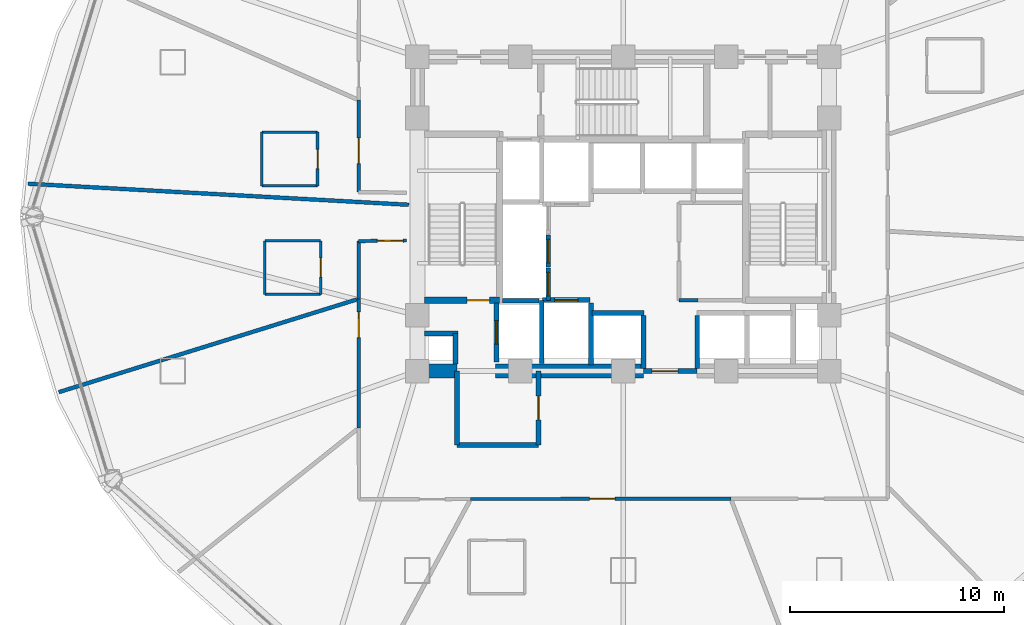
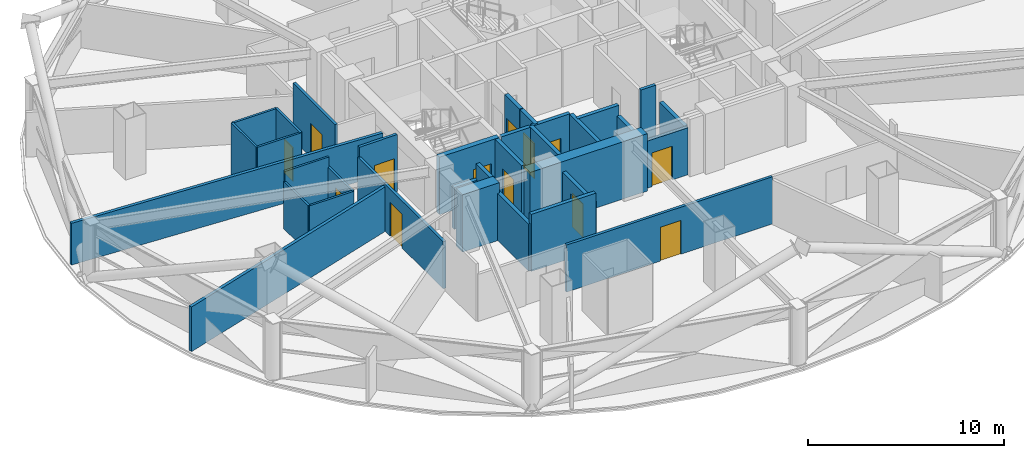
# One storey, part 22 of 30: 35 walls, 13 doors, 13 openings.
"""IFC4 building model written with IfcOpenShell, lengths in metres."""

from ifc_helpers import new_model, si_unit, direction, frame, frame_2d, origin, place, context, subcontext, project, spatial, rectangle, extrude, material, layer, layer_set, type_object, element, fill, save


model = new_model("IFC4")

# Units and contexts
model_context = context("Model", 3, precision=1e-05, world=origin(), true_north=direction((0.0, 1.0)))
body_context = subcontext(model_context, "Body", "Model", "MODEL_VIEW")
ifc_project = project(units=[si_unit("LENGTHUNIT", "METRE"), si_unit("AREAUNIT", "SQUARE_METRE"), si_unit("VOLUMEUNIT", "CUBIC_METRE"), si_unit("PLANEANGLEUNIT", "RADIAN"), si_unit("MASSUNIT", "GRAM", prefix="KILO")], contexts=[model_context])

# Site, building, storey
site_placement = place(None, origin())
site = spatial("IfcSite", under=ifc_project, at=site_placement, CompositionType="ELEMENT")
building_placement = place(site_placement, origin())
building = spatial("IfcBuilding", under=site, at=building_placement, Name="Vantalir Tower", CompositionType="ELEMENT")
storey_placement = place(building_placement, frame((0.0, 0.0, 57.0)))
storey = spatial("IfcBuildingStorey", under=building, at=storey_placement, Name="L13", CompositionType="ELEMENT", Elevation=57.0)

# Walls
ifc_material_1 = material(Name="Moisture-resistant en-suite partition", Category="gypsum")
ifc_layer_1 = layer(ifc_material_1, 0.125)
ifc_layer_set_1 = layer_set([ifc_layer_1], Name="Moisture-resistant en-suite partition")
wall_type_1 = type_object("IfcWallType", Name="WL-BATH-125", PredefinedType="PARTITIONING", material=ifc_layer_set_1)
for number, where, z_axis, x_axis, name in (
    (1, (14.64697265625, 26.43505859375, 0.0), (0.0, 0.0, 1.0), (1.0, 0.0, 0.0), "L13 En-suite 07 South Wall"),
    (2, (14.64697265625, 28.93505859375, 0.0), (0.0, 0.0, 1.0), (1.0, 0.0, 0.0), "L13 En-suite 07 North Wall"),
):
    element("IfcWall", number, at=place(storey_placement, frame(where, z_axis=z_axis, x_axis=x_axis)), inside=storey, type_object=wall_type_1, Name=name, PredefinedType="PARTITIONING", context=body_context, shape_type="SweptSolid", body=[
        extrude(rectangle(XDim=2.60009765625, YDim=0.125, at=frame_2d((1.300048828125, 0.0))), origin(), (0.0, 0.0, 1.0), 3.550048828125),
    ])
wall_1_placement = place(storey_placement, frame((14.64697265625, 26.43505859375, 0.0), z_axis=(0.0, 0.0, 1.0), x_axis=(0.0, 1.0, 0.0)))
element("IfcWall", 3, at=wall_1_placement, inside=storey, type_object=wall_type_1, Name="L13 En-suite 07 West Wall", PredefinedType="PARTITIONING", context=body_context, shape_type="SweptSolid", body=[
    extrude(rectangle(XDim=2.5, YDim=0.125, at=frame_2d((1.25, 0.0))), origin(), (0.0, 0.0, 1.0), 3.550048828125),
])

# Wall, opening, door
wall_2_placement = place(storey_placement, frame((17.2470703125, 26.43505859375, 0.0), z_axis=(0.0, 0.0, 1.0), x_axis=(0.0, 1.0, 0.0)))
wall_2 = element("IfcWall", 4, at=wall_2_placement, inside=storey, type_object=wall_type_1, Name="L13 En-suite 07 East Wall", PredefinedType="PARTITIONING", context=body_context, shape_type="SweptSolid", body=[
    extrude(rectangle(XDim=2.5, YDim=0.125, at=frame_2d((1.25, 0.0))), origin(), (0.0, 0.0, 1.0), 3.550048828125),
])
opening_1_placement = place(wall_2_placement, frame((0.800048828125, 0.0, 0.0)))
opening_1 = element("IfcOpeningElement", 5, at=opening_1_placement, cuts=wall_2, Name="Opening D-WC", PredefinedType="OPENING", context=body_context, shape_type="SweptSolid", body=[
    extrude(rectangle(XDim=0.89990234375, YDim=2.10009765625, at=frame_2d((0.449951171875, 1.050048828125))), frame((0.0, 0.072509765625, 0.0), z_axis=(0.0, -1.0, 0.0), x_axis=(1.0, 0.0, 0.0)), (0.0, 0.0, 1.0), 0.14501953125),
])
ifc_material_2 = material(Name="Moisture-resistant hardwood door", Category="wood")
door_type_1 = type_object("IfcDoorType", Name="DR-ENSUITE-900", OperationType="NOTDEFINED", PredefinedType="DOOR", material=ifc_material_2)
door_1_placement = place(opening_1_placement, origin())
door_1 = element("IfcDoor", 6, at=door_1_placement, inside=storey, type_object=door_type_1, Name="L13 En-suite 07 Door", OperationType="SINGLE_SWING_LEFT", OverallHeight=2.10009765625, OverallWidth=0.89990234375, PredefinedType="DOOR", context=body_context, shape_type="SweptSolid", body=[
    extrude(rectangle(XDim=0.89990234375, YDim=2.10009765625, at=frame_2d((0.449951171875, 1.050048828125))), frame((0.0, 0.02490234375, 0.0), z_axis=(0.0, -1.0, 0.0), x_axis=(1.0, 0.0, 0.0)), (0.0, 0.0, 1.0), 0.050048828125),
])
fill(opening_1, door_1)

# Walls
wall_3_placement = place(storey_placement, frame((14.7919921875, 21.375, 0.0), z_axis=(0.0, 0.0, 1.0), x_axis=(1.0, 0.0, 0.0)))
element("IfcWall", 7, at=wall_3_placement, inside=storey, type_object=wall_type_1, Name="L13 En-suite 08 South Wall", PredefinedType="PARTITIONING", context=body_context, shape_type="SweptSolid", body=[
    extrude(rectangle(XDim=2.60009765625, YDim=0.125, at=frame_2d((1.300048828125, 0.0))), origin(), (0.0, 0.0, 1.0), 2.927978515625),
])
wall_4_placement = place(storey_placement, frame((14.7919921875, 23.875, 0.0), z_axis=(0.0, 0.0, 1.0), x_axis=(1.0, 0.0, 0.0)))
element("IfcWall", 8, at=wall_4_placement, inside=storey, type_object=wall_type_1, Name="L13 En-suite 08 North Wall", PredefinedType="PARTITIONING", context=body_context, shape_type="SweptSolid", body=[
    extrude(rectangle(XDim=2.60009765625, YDim=0.125, at=frame_2d((1.300048828125, 0.0))), origin(), (0.0, 0.0, 1.0), 3.550048828125),
])
wall_5_placement = place(storey_placement, frame((14.7919921875, 21.375, 0.0), z_axis=(0.0, 0.0, 1.0), x_axis=(0.0, 1.0, 0.0)))
element("IfcWall", 9, at=wall_5_placement, inside=storey, type_object=wall_type_1, Name="L13 En-suite 08 West Wall", PredefinedType="PARTITIONING", context=body_context, shape_type="SweptSolid", body=[
    extrude(rectangle(XDim=2.5, YDim=0.125, at=frame_2d((1.25, 0.0))), origin(), (0.0, 0.0, 1.0), 2.927978515625),
])

# Wall, opening, door
wall_6_placement = place(storey_placement, frame((17.39208984375, 21.375, 0.0), z_axis=(0.0, 0.0, 1.0), x_axis=(0.0, 1.0, 0.0)))
wall_6 = element("IfcWall", 10, at=wall_6_placement, inside=storey, type_object=wall_type_1, Name="L13 En-suite 08 East Wall", PredefinedType="PARTITIONING", context=body_context, shape_type="SweptSolid", body=[
    extrude(rectangle(XDim=2.5, YDim=0.125, at=frame_2d((1.25, 0.0))), origin(), (0.0, 0.0, 1.0), 2.927978515625),
])
opening_2_placement = place(wall_6_placement, frame((0.800048828125, 0.0, 0.0)))
opening_2 = element("IfcOpeningElement", 11, at=opening_2_placement, cuts=wall_6, Name="Opening D-WC", PredefinedType="OPENING", context=body_context, shape_type="SweptSolid", body=[
    extrude(rectangle(XDim=0.89990234375, YDim=2.10009765625, at=frame_2d((0.449951171875, 1.050048828125))), frame((0.0, 0.072509765625, 0.0), z_axis=(0.0, -1.0, 0.0), x_axis=(1.0, 0.0, 0.0)), (0.0, 0.0, 1.0), 0.14501953125),
])
door_2_placement = place(opening_2_placement, origin())
door_2 = element("IfcDoor", 12, at=door_2_placement, inside=storey, type_object=door_type_1, Name="L13 En-suite 08 Door", OperationType="SINGLE_SWING_RIGHT", OverallHeight=2.10009765625, OverallWidth=0.89990234375, PredefinedType="DOOR", context=body_context, shape_type="SweptSolid", body=[
    extrude(rectangle(XDim=0.89990234375, YDim=2.10009765625, at=frame_2d((0.449951171875, 1.050048828125))), frame((0.0, 0.02490234375, 0.0), z_axis=(0.0, -1.0, 0.0), x_axis=(1.0, 0.0, 0.0)), (0.0, 0.0, 1.0), 0.050048828125),
])
fill(opening_2, door_2)

# Walls
ifc_material_3 = material(Name="Concrete C60/75", Category="concrete")
ifc_layer_2 = layer(ifc_material_3, 0.64990234375)
ifc_layer_set_2 = layer_set([ifc_layer_2], Name="Concrete C60/75")
wall_type_2 = type_object("IfcWallType", Name="WL-CORE-650", PredefinedType="SHEAR", material=ifc_layer_set_2)
wall_7_placement = place(storey_placement, frame((21.574951171875, 17.800048828125, 0.0), z_axis=(0.0, 0.0, 1.0), x_axis=(1.0, 0.0, 0.0)))
element("IfcWall", 13, at=wall_7_placement, inside=storey, type_object=wall_type_2, Name="L13 Core Shear Wall South-West", PredefinedType="SHEAR", context=body_context, shape_type="SweptSolid", body=[
    extrude(rectangle(XDim=2.175048828125, YDim=0.64990234375, at=frame_2d((1.08740234375, 0.0))), origin(), (0.0, 0.0, 1.0), 3.570068359375),
])
wall_8_placement = place(storey_placement, frame((25.550048828125, 17.800048828125, 0.0), z_axis=(0.0, 0.0, 1.0), x_axis=(1.0, 0.0, 0.0)))
element("IfcWall", 14, at=wall_8_placement, inside=storey, type_object=wall_type_2, Name="L13 Core Shear Wall South-Mid", PredefinedType="SHEAR", context=body_context, shape_type="SweptSolid", body=[
    extrude(rectangle(XDim=6.89990234375, YDim=0.64990234375, at=frame_2d((3.449951171875, 0.0))), origin(), (0.0, 0.0, 1.0), 3.570068359375),
])

# Wall, opening, door
ifc_material_4 = material(Name="Fire-rated hotel corridor acoustic partition", Category="gypsum")
ifc_layer_3 = layer(ifc_material_4, 0.159912109375)
ifc_layer_set_3 = layer_set([ifc_layer_3], Name="Fire-rated hotel corridor acoustic partition")
wall_type_3 = type_object("IfcWallType", Name="WL-CORR-160", PredefinedType="PARTITIONING", material=ifc_layer_set_3)
wall_9_placement = place(storey_placement, frame((19.160888671875, 26.14208984375, 0.0), z_axis=(0.0, 0.0, 1.0), x_axis=(0.002105737748, 0.999997782932, 0.0)))
wall_9 = element("IfcWall", 15, at=wall_9_placement, inside=storey, type_object=wall_type_3, Name="L13 Corridor Partition 02", PredefinedType="PARTITIONING", context=body_context, shape_type="SweptSolid", body=[
    extrude(rectangle(XDim=4.289794921875, YDim=0.159912109375, at=frame_2d((2.14501953125, 0.0))), origin(), (0.0, 0.0, 1.0), 3.550048828125),
])
opening_3_placement = place(wall_9_placement, frame((1.325927734375, 0.0, 0.0)))
opening_3 = element("IfcOpeningElement", 16, at=opening_3_placement, cuts=wall_9, Name="Opening D-STE", PredefinedType="OPENING", context=body_context, shape_type="SweptSolid", body=[
    extrude(rectangle(XDim=1.199951171875, YDim=2.10009765625, at=frame_2d((0.60009765625, 1.050048828125))), frame((0.0, 0.08984375, 0.0), z_axis=(0.0, -1.0, 0.0), x_axis=(1.0, 0.0, 0.0)), (0.0, 0.0, 1.0), 0.179931640625),
])
ifc_material_5 = material(Name="Solid-core teak veneer suite entrance door", Category="wood")
door_type_2 = type_object("IfcDoorType", Name="DR-SUITE-ENTRY-1200", OperationType="NOTDEFINED", PredefinedType="DOOR", material=ifc_material_5)
door_3_placement = place(opening_3_placement, origin())
door_3 = element("IfcDoor", 17, at=door_3_placement, inside=storey, type_object=door_type_2, Name="L13 Executive Club Hotel Suite 07 Door", OperationType="SINGLE_SWING_LEFT", OverallHeight=2.10009765625, OverallWidth=1.199951171875, PredefinedType="DOOR", context=body_context, shape_type="SweptSolid", body=[
    extrude(rectangle(XDim=1.199951171875, YDim=2.10009765625, at=frame_2d((0.60009765625, 1.050048828125))), frame((0.0, 0.02490234375, 0.0), z_axis=(0.0, -1.0, 0.0), x_axis=(1.0, 0.0, 0.0)), (0.0, 0.0, 1.0), 0.050048828125),
])
fill(opening_3, door_3)

wall_10_placement = place(storey_placement, frame((36.51611328125, 11.841064453125, 0.0), z_axis=(0.0, 0.0, 1.0), x_axis=(-0.999999779288, -0.00066439817, 0.0)))
wall_10 = element("IfcWall", 18, at=wall_10_placement, inside=storey, type_object=wall_type_3, Name="L13 Corridor Partition 15", PredefinedType="PARTITIONING", context=body_context, shape_type="SweptSolid", body=[
    extrude(rectangle(XDim=12.126220703125, YDim=0.159912109375, at=frame_2d((6.06298828125, 0.0))), origin(), (0.0, 0.0, 1.0), 2.927978515625),
])
opening_4_placement = place(wall_10_placement, frame((5.387939453125, 0.0, 0.0)))
opening_4 = element("IfcOpeningElement", 19, at=opening_4_placement, cuts=wall_10, Name="Opening D-STE", PredefinedType="OPENING", context=body_context, shape_type="SweptSolid", body=[
    extrude(rectangle(XDim=1.199951171875, YDim=2.10009765625, at=frame_2d((0.60009765625, 1.050048828125))), frame((0.0, 0.08984375, 0.0), z_axis=(0.0, -1.0, 0.0), x_axis=(1.0, 0.0, 0.0)), (0.0, 0.0, 1.0), 0.179931640625),
])
door_4_placement = place(opening_4_placement, origin())
door_4 = element("IfcDoor", 20, at=door_4_placement, inside=storey, type_object=door_type_2, Name="L13 Executive Club Hotel Suite 11 Door", OperationType="SINGLE_SWING_LEFT", OverallHeight=2.10009765625, OverallWidth=1.199951171875, PredefinedType="DOOR", context=body_context, shape_type="SweptSolid", body=[
    extrude(rectangle(XDim=1.199951171875, YDim=2.10009765625, at=frame_2d((0.60009765625, 1.050048828125))), frame((0.0, 0.02490234375, 0.0), z_axis=(0.0, -1.0, 0.0), x_axis=(1.0, 0.0, 0.0)), (0.0, 0.0, 1.0), 0.050048828125),
])
fill(opening_4, door_4)

wall_11_placement = place(storey_placement, frame((19.176025390625, 15.15087890625, 0.0), z_axis=(0.0, 0.0, 1.0), x_axis=(-0.001827037145, 0.999998330966, 0.0)))
wall_11 = element("IfcWall", 21, at=wall_11_placement, inside=storey, type_object=wall_type_3, Name="L13 Corridor Partition 18", PredefinedType="PARTITIONING", context=body_context, shape_type="SweptSolid", body=[
    extrude(rectangle(XDim=6.01318359375, YDim=0.159912109375, at=frame_2d((3.006591796875, 0.0))), origin(), (0.0, 0.0, 1.0), 2.927978515625),
])
opening_5_placement = place(wall_11_placement, frame((4.2041015625, 0.0, 0.0)))
opening_5 = element("IfcOpeningElement", 22, at=opening_5_placement, cuts=wall_11, Name="Opening D-STE", PredefinedType="OPENING", context=body_context, shape_type="SweptSolid", body=[
    extrude(rectangle(XDim=1.199951171875, YDim=2.10009765625, at=frame_2d((0.60009765625, 1.050048828125))), frame((0.0, 0.08984375, 0.0), z_axis=(0.0, -1.0, 0.0), x_axis=(1.0, 0.0, 0.0)), (0.0, 0.0, 1.0), 0.179931640625),
])
door_5_placement = place(opening_5_placement, origin())
door_5 = element("IfcDoor", 23, at=door_5_placement, inside=storey, type_object=door_type_2, Name="L13 Executive Sky Boardroom 09 Door", OperationType="SINGLE_SWING_LEFT", OverallHeight=2.10009765625, OverallWidth=1.199951171875, PredefinedType="DOOR", context=body_context, shape_type="SweptSolid", body=[
    extrude(rectangle(XDim=1.199951171875, YDim=2.10009765625, at=frame_2d((0.60009765625, 1.050048828125))), frame((0.0, 0.02490234375, 0.0), z_axis=(0.0, -1.0, 0.0), x_axis=(1.0, 0.0, 0.0)), (0.0, 0.0, 1.0), 0.050048828125),
])
fill(opening_5, door_5)

# Wall
wall_12_placement = place(storey_placement, frame((19.1650390625, 21.1640625, 0.0), z_axis=(0.0, 0.0, 1.0), x_axis=(-0.001540690577, 0.999998813136, 0.0)))
element("IfcWall", 24, at=wall_12_placement, inside=storey, type_object=wall_type_3, Name="L13 Corridor Partition 19", PredefinedType="PARTITIONING", context=body_context, shape_type="SweptSolid", body=[
    extrude(rectangle(XDim=2.69384765625, YDim=0.159912109375, at=frame_2d((1.346923828125, 0.0))), origin(), (0.0, 0.0, 1.0), 2.927978515625),
])

# Wall, opening, door
wall_13_placement = place(storey_placement, frame((19.160888671875, 23.85791015625, 0.0), z_axis=(0.0, 0.0, 1.0), x_axis=(0.999915458151, 0.013002943888, 0.0)))
wall_13 = element("IfcWall", 25, at=wall_13_placement, inside=storey, type_object=wall_type_3, Name="L13 Corridor Partition 20", PredefinedType="PARTITIONING", context=body_context, shape_type="SweptSolid", body=[
    extrude(rectangle(XDim=2.234375, YDim=0.159912109375, at=frame_2d((1.1171875, 0.0))), origin(), (0.0, 0.0, 1.0), 3.550048828125),
])
opening_6_placement = place(wall_13_placement, frame((0.8740234375, 0.0, 0.0)))
opening_6 = element("IfcOpeningElement", 26, at=opening_6_placement, cuts=wall_13, Name="Opening D-STE", PredefinedType="OPENING", context=body_context, shape_type="SweptSolid", body=[
    extrude(rectangle(XDim=1.199951171875, YDim=2.10009765625, at=frame_2d((0.60009765625, 1.050048828125))), frame((0.0, 0.08984375, 0.0), z_axis=(0.0, -1.0, 0.0), x_axis=(1.0, 0.0, 0.0)), (0.0, 0.0, 1.0), 0.179931640625),
])
door_6_placement = place(opening_6_placement, origin())
door_6 = element("IfcDoor", 27, at=door_6_placement, inside=storey, type_object=door_type_2, Name="L13 Corner Panorama Hotel Suite 08 Door", OperationType="SINGLE_SWING_RIGHT", OverallHeight=2.10009765625, OverallWidth=1.199951171875, PredefinedType="DOOR", context=body_context, shape_type="SweptSolid", body=[
    extrude(rectangle(XDim=1.199951171875, YDim=2.10009765625, at=frame_2d((0.60009765625, 1.050048828125))), frame((0.0, 0.02490234375, 0.0), z_axis=(0.0, -1.0, 0.0), x_axis=(1.0, 0.0, 0.0)), (0.0, 0.0, 1.0), 0.050048828125),
])
fill(opening_6, door_6)

# Walls
ifc_material_6 = material(Name="Concrete blockwork with fireboard lining", Category="masonry")
ifc_layer_4 = layer(ifc_material_6, 0.219970703125)
ifc_layer_set_4 = layer_set([ifc_layer_4], Name="Concrete blockwork with fireboard lining")
wall_type_4 = type_object("IfcWallType", Name="WL-FFL-220", PredefinedType="PARTITIONING", material=ifc_layer_set_4)
wall_14_placement = place(storey_placement, frame((30.0, 18.080078125, 0.0), z_axis=(0.0, 0.0, 1.0), x_axis=(0.0, 1.0, 0.0)))
element("IfcWall", 28, at=wall_14_placement, inside=storey, type_object=wall_type_4, Name="L13 Service Lift SV1 East Shaft Wall", PredefinedType="PARTITIONING", context=body_context, shape_type="SweptSolid", body=[
    extrude(rectangle(XDim=2.89990234375, YDim=0.219970703125, at=frame_2d((1.449951171875, 0.0))), origin(), (0.0, 0.0, 1.0), 3.544921875),
])
for number, where, z_axis, x_axis, name in (
    (29, (32.449951171875, 17.919921875, 0.0), (0.0, 0.0, 1.0), (0.0, 1.0, 0.0), "L13 Shuttle Lift PL-X1 East Shaft Cheek"),
    (30, (34.949951171875, 17.919921875, 0.0), (0.0, 0.0, 1.0), (0.0, 1.0, 0.0), "L13 Shuttle Lift PL-X3 West Shaft Cheek"),
):
    element("IfcWall", number, at=place(storey_placement, frame(where, z_axis=z_axis, x_axis=x_axis)), inside=storey, type_object=wall_type_4, Name=name, PredefinedType="PARTITIONING", context=body_context, shape_type="SweptSolid", body=[
        extrude(rectangle(XDim=2.469970703125, YDim=0.219970703125, at=frame_2d((1.23486328125, 0.0))), origin(), (0.0, 0.0, 1.0), 2.927978515625),
    ])

# Wall, opening, door
wall_15_placement = place(storey_placement, frame((32.449951171875, 17.800048828125, 0.0), z_axis=(0.0, 0.0, 1.0), x_axis=(1.0, 0.0, 0.0)))
wall_15 = element("IfcWall", 31, at=wall_15_placement, inside=storey, type_object=wall_type_4, Name="L13 Passenger Lift Lobby South Wall", PredefinedType="PARTITIONING", context=body_context, shape_type="SweptSolid", body=[
    extrude(rectangle(XDim=2.5, YDim=0.219970703125, at=frame_2d((1.25, 0.0))), origin(), (0.0, 0.0, 1.0), 2.927978515625),
])
opening_7_placement = place(wall_15_placement, frame((0.39990234375, 0.0, 0.0)))
opening_7 = element("IfcOpeningElement", 32, at=opening_7_placement, cuts=wall_15, Name="Opening D-STE", PredefinedType="OPENING", context=body_context, shape_type="SweptSolid", body=[
    extrude(rectangle(XDim=1.199951171875, YDim=2.10009765625, at=frame_2d((0.60009765625, 1.050048828125))), frame((0.0, 0.119873046875, 0.0), z_axis=(0.0, -1.0, 0.0), x_axis=(1.0, 0.0, 0.0)), (0.0, 0.0, 1.0), 0.239990234375),
])
door_7_placement = place(opening_7_placement, origin())
door_7 = element("IfcDoor", 33, at=door_7_placement, inside=storey, type_object=door_type_2, Name="L13 Passenger Lift Lobby Concourse Door", OperationType="SINGLE_SWING_RIGHT", OverallHeight=2.10009765625, OverallWidth=1.199951171875, PredefinedType="DOOR", context=body_context, shape_type="SweptSolid", body=[
    extrude(rectangle(XDim=1.199951171875, YDim=2.10009765625, at=frame_2d((0.60009765625, 1.050048828125))), frame((0.0, 0.02490234375, 0.0), z_axis=(0.0, -1.0, 0.0), x_axis=(1.0, 0.0, 0.0)), (0.0, 0.0, 1.0), 0.050048828125),
])
fill(opening_7, door_7)

# Walls
wall_16_placement = place(storey_placement, frame((23.679931640625, 18.125, 0.0), z_axis=(0.0, 0.0, 1.0), x_axis=(0.0, 1.0, 0.0)))
element("IfcWall", 34, at=wall_16_placement, inside=storey, type_object=wall_type_4, Name="L13 West MEP Riser Wall E", PredefinedType="PARTITIONING", context=body_context, shape_type="SweptSolid", body=[
    extrude(rectangle(XDim=1.425048828125, YDim=0.219970703125, at=frame_2d((0.71240234375, 0.0))), origin(), (0.0, 0.0, 1.0), 3.550048828125),
])
wall_17_placement = place(storey_placement, frame((22.22509765625, 19.550048828125, 0.0), z_axis=(0.0, 0.0, 1.0), x_axis=(1.0, 0.0, 0.0)))
element("IfcWall", 35, at=wall_17_placement, inside=storey, type_object=wall_type_4, Name="L13 West MEP Riser Wall N", PredefinedType="PARTITIONING", context=body_context, shape_type="SweptSolid", body=[
    extrude(rectangle(XDim=1.56494140625, YDim=0.219970703125, at=frame_2d((0.782470703125, 0.0))), origin(), (0.0, 0.0, 1.0), 2.594970703125),
])

# Wall, opening, door
wall_18_placement = place(storey_placement, frame((25.590087890625, 18.219970703125, 0.0), z_axis=(0.0, 0.0, 1.0), x_axis=(0.0, 1.0, 0.0)))
wall_18 = element("IfcWall", 36, at=wall_18_placement, inside=storey, type_object=wall_type_4, Name="L13 Lift FL1 Shaft Front Wall", PredefinedType="PARTITIONING", context=body_context, shape_type="SweptSolid", body=[
    extrude(rectangle(XDim=2.760009765625, YDim=0.219970703125, at=frame_2d((1.3798828125, 0.0))), origin(), (0.0, 0.0, 1.0), 3.550048828125),
])
opening_8_placement = place(wall_18_placement, frame((0.830078125, 0.0, 0.0)))
opening_8 = element("IfcOpeningElement", 37, at=opening_8_placement, cuts=wall_18, Name="Opening LD-FL1", PredefinedType="OPENING", context=body_context, shape_type="SweptSolid", body=[
    extrude(rectangle(XDim=1.10009765625, YDim=2.199951171875, at=frame_2d((0.550048828125, 1.10009765625))), frame((0.0, 0.119873046875, 0.0), z_axis=(0.0, -1.0, 0.0), x_axis=(1.0, 0.0, 0.0)), (0.0, 0.0, 1.0), 0.239990234375),
])
ifc_material_7 = material(Name="Brushed stainless-steel sliding lift landing door", Category="steel")
door_type_3 = type_object("IfcDoorType", Name="DR-LIFT-LANDING-1100", OperationType="DOUBLE_DOOR_SLIDING", PredefinedType="DOOR", material=ifc_material_7)
door_8_placement = place(opening_8_placement, origin())
door_8 = element("IfcDoor", 38, at=door_8_placement, inside=storey, type_object=door_type_3, Name="L13 Lift Landing Door FL1", OperationType="DOUBLE_DOOR_SLIDING", OverallHeight=2.199951171875, OverallWidth=1.10009765625, PredefinedType="DOOR", context=body_context, shape_type="SweptSolid", body=[
    extrude(rectangle(XDim=1.10009765625, YDim=2.199951171875, at=frame_2d((0.550048828125, 1.10009765625))), frame((0.0, 0.02490234375, 0.0), z_axis=(0.0, -1.0, 0.0), x_axis=(1.0, 0.0, 0.0)), (0.0, 0.0, 1.0), 0.050048828125),
])
fill(opening_8, door_8)

wall_19_placement = place(storey_placement, frame((27.739990234375, 21.110107421875, 0.0), z_axis=(0.0, 0.0, 1.0), x_axis=(1.0, 0.0, 0.0)))
wall_19 = element("IfcWall", 39, at=wall_19_placement, inside=storey, type_object=wall_type_4, Name="L13 Lift SV1 Shaft Front Wall", PredefinedType="PARTITIONING", context=body_context, shape_type="SweptSolid", body=[
    extrude(rectangle(XDim=2.219970703125, YDim=0.219970703125, at=frame_2d((1.10986328125, 0.0))), origin(), (0.0, 0.0, 1.0), 3.550048828125),
])
opening_9_placement = place(wall_19_placement, frame((0.56005859375, 0.0, 0.0)))
opening_9 = element("IfcOpeningElement", 40, at=opening_9_placement, cuts=wall_19, Name="Opening LD-SV1", PredefinedType="OPENING", context=body_context, shape_type="SweptSolid", body=[
    extrude(rectangle(XDim=1.10009765625, YDim=2.199951171875, at=frame_2d((0.550048828125, 1.10009765625))), frame((0.0, 0.119873046875, 0.0), z_axis=(0.0, -1.0, 0.0), x_axis=(1.0, 0.0, 0.0)), (0.0, 0.0, 1.0), 0.239990234375),
])
door_9_placement = place(opening_9_placement, origin())
door_9 = element("IfcDoor", 41, at=door_9_placement, inside=storey, type_object=door_type_3, Name="L13 Lift Landing Door SV1", OperationType="DOUBLE_DOOR_SLIDING", OverallHeight=2.199951171875, OverallWidth=1.10009765625, PredefinedType="DOOR", context=body_context, shape_type="SweptSolid", body=[
    extrude(rectangle(XDim=1.10009765625, YDim=2.199951171875, at=frame_2d((0.550048828125, 1.10009765625))), frame((0.0, 0.02490234375, 0.0), z_axis=(0.0, -1.0, 0.0), x_axis=(1.0, 0.0, 0.0)), (0.0, 0.0, 1.0), 0.050048828125),
])
fill(opening_9, door_9)

# Wall
wall_20_placement = place(storey_placement, frame((30.0400390625, 20.510009765625, 0.0), z_axis=(0.0, 0.0, 1.0), x_axis=(1.0, 0.0, 0.0)))
element("IfcWall", 42, at=wall_20_placement, inside=storey, type_object=wall_type_4, Name="L13 Lift PL-X1 Shaft Front Wall", PredefinedType="PARTITIONING", context=body_context, shape_type="SweptSolid", body=[
    extrude(rectangle(XDim=2.419921875, YDim=0.219970703125, at=frame_2d((1.2099609375, 0.0))), origin(), (0.0, 0.0, 1.0), 3.550048828125),
])

# Wall, opening, door
wall_21_placement = place(storey_placement, frame((28.010009765625, 21.10009765625, 0.0), z_axis=(0.0, 0.0, 1.0), x_axis=(0.0, 1.0, 0.0)))
wall_21 = element("IfcWall", 43, at=wall_21_placement, inside=storey, type_object=wall_type_4, Name="L13 Lift PL-L1 Shaft Front Wall", PredefinedType="PARTITIONING", context=body_context, shape_type="SweptSolid", body=[
    extrude(rectangle(XDim=1.5, YDim=0.219970703125, at=frame_2d((0.75, 0.0))), origin(), (0.0, 0.0, 1.0), 3.550048828125),
])
opening_10_placement = place(wall_21_placement, frame((0.199951171875, 0.0, 0.0)))
opening_10 = element("IfcOpeningElement", 44, at=opening_10_placement, cuts=wall_21, Name="Opening LD-PL-L1", PredefinedType="OPENING", context=body_context, shape_type="SweptSolid", body=[
    extrude(rectangle(XDim=1.10009765625, YDim=2.199951171875, at=frame_2d((0.550048828125, 1.10009765625))), frame((0.0, 0.119873046875, 0.0), z_axis=(0.0, -1.0, 0.0), x_axis=(1.0, 0.0, 0.0)), (0.0, 0.0, 1.0), 0.239990234375),
])
door_10_placement = place(opening_10_placement, frame((1.10009765625, 0.0, 0.0), z_axis=(0.0, 0.0, 1.0), x_axis=(-1.0, 0.0, 0.0)))
door_10 = element("IfcDoor", 45, at=door_10_placement, inside=storey, type_object=door_type_3, Name="L13 Lift Landing Door PL-L1", OperationType="DOUBLE_DOOR_SLIDING", OverallHeight=2.199951171875, OverallWidth=1.10009765625, PredefinedType="DOOR", context=body_context, shape_type="SweptSolid", body=[
    extrude(rectangle(XDim=1.10009765625, YDim=2.199951171875, at=frame_2d((0.550048828125, 1.10009765625))), frame((0.0, 0.02490234375, 0.0), z_axis=(0.0, -1.0, 0.0), x_axis=(1.0, 0.0, 0.0)), (0.0, 0.0, 1.0), 0.050048828125),
])
fill(opening_10, door_10)

wall_22_placement = place(storey_placement, frame((28.010009765625, 22.639892578125, 0.0), z_axis=(0.0, 0.0, 1.0), x_axis=(0.0, 1.0, 0.0)))
wall_22 = element("IfcWall", 46, at=wall_22_placement, inside=storey, type_object=wall_type_4, Name="L13 Lift PL-L2 Shaft Front Wall", PredefinedType="PARTITIONING", context=body_context, shape_type="SweptSolid", body=[
    extrude(rectangle(XDim=1.5, YDim=0.219970703125, at=frame_2d((0.75, 0.0))), origin(), (0.0, 0.0, 1.0), 3.550048828125),
])
opening_11_placement = place(wall_22_placement, frame((0.199951171875, 0.0, 0.0)))
opening_11 = element("IfcOpeningElement", 47, at=opening_11_placement, cuts=wall_22, Name="Opening LD-PL-L2", PredefinedType="OPENING", context=body_context, shape_type="SweptSolid", body=[
    extrude(rectangle(XDim=1.10009765625, YDim=2.199951171875, at=frame_2d((0.550048828125, 1.10009765625))), frame((0.0, 0.119873046875, 0.0), z_axis=(0.0, -1.0, 0.0), x_axis=(1.0, 0.0, 0.0)), (0.0, 0.0, 1.0), 0.239990234375),
])
door_11_placement = place(opening_11_placement, frame((1.10009765625, 0.0, 0.0), z_axis=(0.0, 0.0, 1.0), x_axis=(-1.0, 0.0, 0.0)))
door_11 = element("IfcDoor", 48, at=door_11_placement, inside=storey, type_object=door_type_3, Name="L13 Lift Landing Door PL-L2", OperationType="DOUBLE_DOOR_SLIDING", OverallHeight=2.199951171875, OverallWidth=1.10009765625, PredefinedType="DOOR", context=body_context, shape_type="SweptSolid", body=[
    extrude(rectangle(XDim=1.10009765625, YDim=2.199951171875, at=frame_2d((0.550048828125, 1.10009765625))), frame((0.0, 0.02490234375, 0.0), z_axis=(0.0, -1.0, 0.0), x_axis=(1.0, 0.0, 0.0)), (0.0, 0.0, 1.0), 0.050048828125),
])
fill(opening_11, door_11)

# Walls
wall_23_placement = place(storey_placement, frame((27.699951171875, 18.14990234375, 0.0), z_axis=(0.0, 0.0, 1.0), x_axis=(0.0, 1.0, 0.0)))
element("IfcWall", 49, at=wall_23_placement, inside=storey, type_object=wall_type_4, Name="L13 Fire Lift FL1 Dividing Wall", PredefinedType="PARTITIONING", context=body_context, shape_type="SweptSolid", body=[
    extrude(rectangle(XDim=2.9501953125, YDim=0.219970703125, at=frame_2d((1.47509765625, 0.0))), origin(), (0.0, 0.0, 1.0), 3.550048828125),
])
wall_24_placement = place(storey_placement, frame((25.8798828125, 21.080078125, 0.0), z_axis=(0.0, 0.0, 1.0), x_axis=(1.0, 0.0, 0.0)))
element("IfcWall", 50, at=wall_24_placement, inside=storey, type_object=wall_type_4, Name="L13 Low-Rise Bank South Wall", PredefinedType="PARTITIONING", context=body_context, shape_type="SweptSolid", body=[
    extrude(rectangle(XDim=1.7001953125, YDim=0.219970703125, at=frame_2d((0.85009765625, 0.0))), origin(), (0.0, 0.0, 1.0), 3.550048828125),
])
wall_25_placement = place(storey_placement, frame((23.75, 14.35009765625, 0.0), z_axis=(0.0, 0.0, 1.0), x_axis=(0.0, 1.0, 0.0)))
element("IfcWall", 51, at=wall_25_placement, inside=storey, type_object=wall_type_4, Name="L13 Firefighting Lobby West Outer W", PredefinedType="PARTITIONING", context=body_context, shape_type="SweptSolid", body=[
    extrude(rectangle(XDim=3.449951171875, YDim=0.219970703125, at=frame_2d((1.72509765625, 0.0))), origin(), (0.0, 0.0, 1.0), 2.927978515625),
])
wall_26_placement = place(storey_placement, frame((23.75, 14.35009765625, 0.0), z_axis=(0.0, 0.0, 1.0), x_axis=(1.0, 0.0, 0.0)))
element("IfcWall", 52, at=wall_26_placement, inside=storey, type_object=wall_type_4, Name="L13 Firefighting Lobby West South Wall", PredefinedType="PARTITIONING", context=body_context, shape_type="SweptSolid", body=[
    extrude(rectangle(XDim=3.800048828125, YDim=0.219970703125, at=frame_2d((1.89990234375, 0.0))), origin(), (0.0, 0.0, 1.0), 3.550048828125),
])

# Wall, opening, door
wall_27_placement = place(storey_placement, frame((27.550048828125, 14.35009765625, 0.0), z_axis=(0.0, 0.0, 1.0), x_axis=(0.0, 1.0, 0.0)))
wall_27 = element("IfcWall", 53, at=wall_27_placement, inside=storey, type_object=wall_type_4, Name="L13 Firefighting Lobby West East Wall", PredefinedType="PARTITIONING", context=body_context, shape_type="SweptSolid", body=[
    extrude(rectangle(XDim=3.449951171875, YDim=0.219970703125, at=frame_2d((1.72509765625, 0.0))), origin(), (0.0, 0.0, 1.0), 2.927978515625),
])
opening_12_placement = place(wall_27_placement, frame((1.175048828125, 0.0, 0.0)))
opening_12 = element("IfcOpeningElement", 54, at=opening_12_placement, cuts=wall_27, Name="Opening D-FFL", PredefinedType="OPENING", context=body_context, shape_type="SweptSolid", body=[
    extrude(rectangle(XDim=1.10009765625, YDim=2.10009765625, at=frame_2d((0.550048828125, 1.050048828125))), frame((0.0, 0.119873046875, 0.0), z_axis=(0.0, -1.0, 0.0), x_axis=(1.0, 0.0, 0.0)), (0.0, 0.0, 1.0), 0.239990234375),
])
ifc_material_8 = material(Name="Fire-rated acoustic steel door", Category="steel")
door_type_4 = type_object("IfcDoorType", Name="DR-FIRE-LOBBY-1100", OperationType="NOTDEFINED", PredefinedType="DOOR", material=ifc_material_8)
door_12_placement = place(opening_12_placement, origin())
door_12 = element("IfcDoor", 55, at=door_12_placement, inside=storey, type_object=door_type_4, Name="L13 Firefighting Lobby West Access Door", OperationType="SINGLE_SWING_RIGHT", OverallHeight=2.10009765625, OverallWidth=1.10009765625, PredefinedType="DOOR", context=body_context, shape_type="SweptSolid", body=[
    extrude(rectangle(XDim=1.10009765625, YDim=2.10009765625, at=frame_2d((0.550048828125, 1.050048828125))), frame((0.0, 0.02490234375, 0.0), z_axis=(0.0, -1.0, 0.0), x_axis=(1.0, 0.0, 0.0)), (0.0, 0.0, 1.0), 0.050048828125),
])
fill(opening_12, door_12)

# Walls
ifc_material_9 = material(Name="Twin-stud acoustic fire-rated gypsum partition", Category="gypsum")
ifc_layer_5 = layer(ifc_material_9, 0.179931640625)
ifc_layer_set_5 = layer_set([ifc_layer_5], Name="Twin-stud acoustic fire-rated gypsum partition")
wall_type_5 = type_object("IfcWallType", Name="WL-GUEST-180", PredefinedType="PARTITIONING", material=ifc_layer_set_5)
wall_28_placement = place(storey_placement, frame((34.10009765625, 21.10009765625, 0.0), z_axis=(0.0, 0.0, 1.0), x_axis=(1.0, 0.0, 0.0)))
element("IfcWall", 56, at=wall_28_placement, inside=storey, type_object=wall_type_5, Name="L13 East Core Room South Return", PredefinedType="PARTITIONING", context=body_context, shape_type="SweptSolid", body=[
    extrude(rectangle(XDim=0.8798828125, YDim=0.179931640625, at=frame_2d((0.43994140625, 0.0))), origin(), (0.0, 0.0, 1.0), 3.550048828125),
])
wall_29_placement = place(storey_placement, frame((21.5, 25.552001953125, 0.0), z_axis=(0.0, 0.0, 1.0), x_axis=(-0.998476368936, 0.055180981107, 0.0)))
element("IfcWall", 57, at=wall_29_placement, inside=storey, type_object=wall_type_5, Name="L13 Radial Suite Partition 08", PredefinedType="PARTITIONING", context=body_context, shape_type="SweptSolid", body=[
    extrude(rectangle(XDim=17.777099609375, YDim=0.179931640625, at=frame_2d((8.888671875, 0.0))), origin(), (0.0, 0.0, 1.0), 2.594970703125),
])
wall_30_placement = place(storey_placement, frame((19.0849609375, 21.138916015625, 0.0), z_axis=(0.0, 0.0, 1.0), x_axis=(-0.954884570259, -0.296977200271, 0.0)))
element("IfcWall", 58, at=wall_30_placement, inside=storey, type_object=wall_type_5, Name="L13 Radial Suite Partition 09", PredefinedType="PARTITIONING", context=body_context, shape_type="SweptSolid", body=[
    extrude(rectangle(XDim=14.56005859375, YDim=0.179931640625, at=frame_2d((7.280029296875, 0.0))), origin(), (0.0, 0.0, 1.0), 2.77490234375),
])

# Wall, opening, door
ifc_material_10 = material(Name="Concrete C50/60", Category="concrete")
ifc_layer_6 = layer(ifc_material_10, 0.300048828125)
ifc_layer_set_6 = layer_set([ifc_layer_6], Name="Concrete C50/60")
wall_type_6 = type_object("IfcWallType", Name="WL-STAIR-300", PredefinedType="SHEAR", material=ifc_layer_set_6)
wall_31_placement = place(storey_placement, frame((22.22509765625, 21.10009765625, 0.0), z_axis=(0.0, 0.0, 1.0), x_axis=(1.0, 0.0, 0.0)))
wall_31 = element("IfcWall", 59, at=wall_31_placement, inside=storey, type_object=wall_type_6, Name="L13 Stair ST1 South Wall", PredefinedType="SHEAR", context=body_context, shape_type="SweptSolid", body=[
    extrude(rectangle(XDim=3.514892578125, YDim=0.300048828125, at=frame_2d((1.75732421875, 0.0))), origin(), (0.0, 0.0, 1.0), 3.570068359375),
])
opening_13_placement = place(wall_31_placement, frame((1.9951171875, 0.0, 0.0)))
opening_13 = element("IfcOpeningElement", 60, at=opening_13_placement, cuts=wall_31, Name="Opening D-ST", PredefinedType="OPENING", context=body_context, shape_type="SweptSolid", body=[
    extrude(rectangle(XDim=1.050048828125, YDim=2.10009765625, at=frame_2d((0.52490234375, 1.050048828125))), frame((0.0, 0.159912109375, 0.0), z_axis=(0.0, -1.0, 0.0), x_axis=(1.0, 0.0, 0.0)), (0.0, 0.0, 1.0), 0.320068359375),
])
ifc_material_11 = material(Name="Fire-rated steel door leaf", Category="steel")
door_type_5 = type_object("IfcDoorType", Name="DR-FIRE-STAIR-1050", OperationType="NOTDEFINED", PredefinedType="DOOR", material=ifc_material_11)
door_13_placement = place(opening_13_placement, origin())
door_13 = element("IfcDoor", 61, at=door_13_placement, inside=storey, type_object=door_type_5, Name="L13 Exit Stair ST1 Fire Door", OperationType="SINGLE_SWING_RIGHT", OverallHeight=2.10009765625, OverallWidth=1.050048828125, PredefinedType="DOOR", context=body_context, shape_type="SweptSolid", body=[
    extrude(rectangle(XDim=1.050048828125, YDim=2.10009765625, at=frame_2d((0.52490234375, 1.050048828125))), frame((0.0, 0.02490234375, 0.0), z_axis=(0.0, -1.0, 0.0), x_axis=(1.0, 0.0, 0.0)), (0.0, 0.0, 1.0), 0.050048828125),
])
fill(opening_13, door_13)

save(model, "model.ifc")
